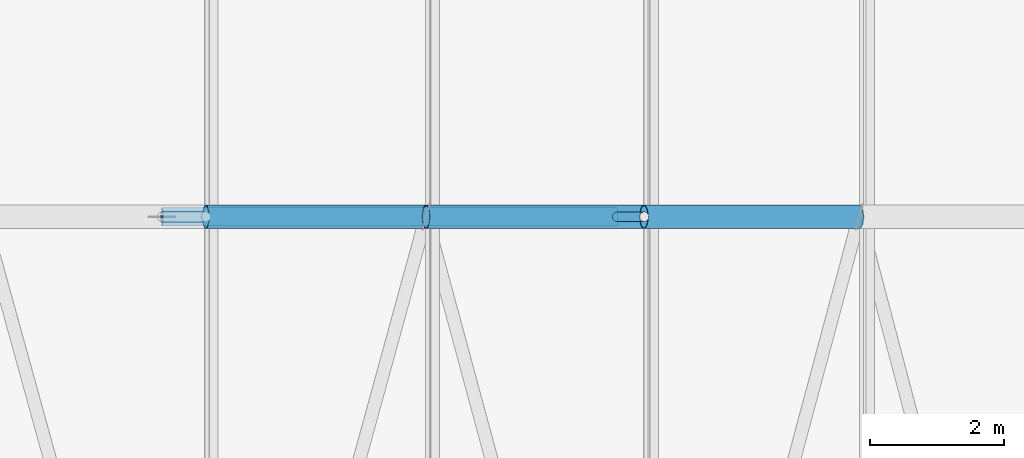
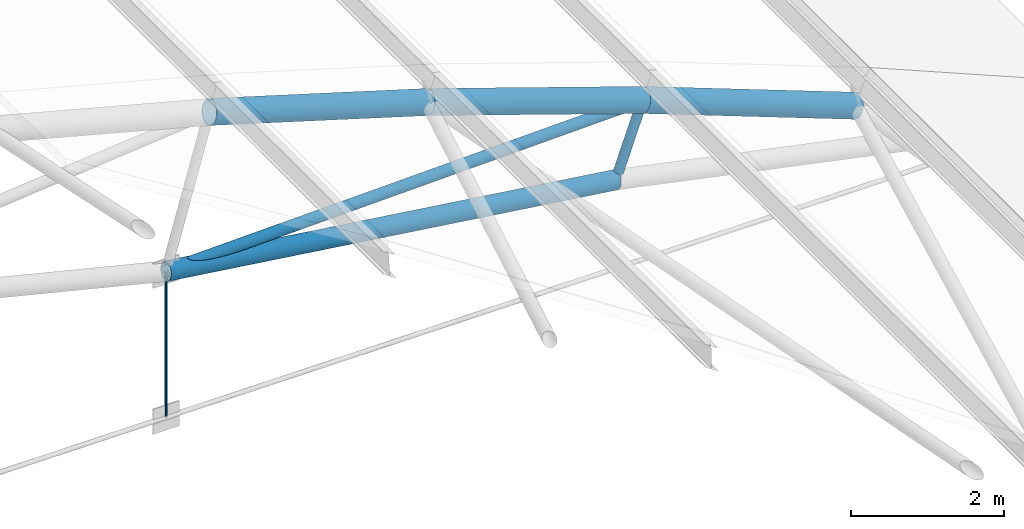
# One storey, part 45 of 321: 7 members.
"""IFC4 building model written with IfcOpenShell, lengths in metres."""

from ifc_helpers import new_model, si_unit, direction, frame, origin, origin_2d, place, context, subcontext, project, spatial, circle, hollow_circle, extrude, material, material_profile, profile_set, type_object, element, save


model = new_model("IFC4")

# Units and contexts
model_context = context("Model", 3, precision=1e-05, world=origin(), true_north=direction((0.0, 1.0)))
body_context = subcontext(model_context, "Body", "Model", "MODEL_VIEW")
ifc_project = project(units=[si_unit("LENGTHUNIT", "METRE"), si_unit("AREAUNIT", "SQUARE_METRE"), si_unit("VOLUMEUNIT", "CUBIC_METRE"), si_unit("PLANEANGLEUNIT", "RADIAN"), si_unit("MASSUNIT", "GRAM", prefix="KILO")], contexts=[model_context])

# Site, building, storey
site_placement = place(None, origin())
site = spatial("IfcSite", under=ifc_project, at=site_placement, CompositionType="ELEMENT")
building_placement = place(site_placement, origin())
building = spatial("IfcBuilding", under=site, at=building_placement, Name="Ravi Spectrum Wholesale Market", CompositionType="ELEMENT")
storey_placement = place(building_placement, frame((0.0, 0.0, 10.800048828125)))
storey = spatial("IfcBuildingStorey", under=building, at=storey_placement, Name="L02", CompositionType="ELEMENT", Elevation=10.800048828125)

# Members
ifc_material_1 = material(Name="Steel S355", Category="steel")
ifc_material_profile_1 = material_profile(ifc_material_1, hollow_circle(Radius=0.06982421875, WallThickness=0.0048828125, at=origin_2d()))
ifc_profile_set_1 = profile_set([ifc_material_profile_1], Name="Steel S355")
member_type_1 = type_object("IfcMemberType", Name="CHS 139.7x5 post", PredefinedType="POST", material=ifc_profile_set_1)
member_1_placement = place(storey_placement, frame((103.636962890625, 42.0, 2.56494140625), z_axis=(-0.338114270461, 0.0, -0.941105063269), x_axis=(0.0, -1.0, 0.0)))
element("IfcMember", 1, at=member_1_placement, inside=storey, type_object=member_type_1, Name="H1-MB-L02-146", PredefinedType="POST", context=body_context, shape_type="SweptSolid", body=[
    extrude(hollow_circle(Radius=0.06982421875, WallThickness=0.0048828125, at=origin_2d()), origin(), (0.0, 0.0, 1.0), 1.199951171875),
])
ifc_material_2 = material(Name="Steel S355", Category="steel")
ifc_material_profile_2 = material_profile(ifc_material_2, hollow_circle(Radius=0.084228515625, WallThickness=0.00634765625, at=origin_2d()))
ifc_profile_set_2 = profile_set([ifc_material_profile_2], Name="Steel S355")
member_type_2 = type_object("IfcMemberType", Name="CHS 168.3x6.3 brace", PredefinedType="BRACE", material=ifc_profile_set_2)
member_2_placement = place(storey_placement, frame((103.636962890625, 42.0, 2.56494140625), z_axis=(-0.999561599338, 0.0, -0.029607585673), x_axis=(0.0, -1.0, 0.0)))
element("IfcMember", 2, at=member_2_placement, inside=storey, type_object=member_type_2, Name="H1-MB-L02-156", PredefinedType="BRACE", context=body_context, shape_type="SweptSolid", body=[
    extrude(hollow_circle(Radius=0.084228515625, WallThickness=0.00634765625, at=origin_2d()), origin(), (0.0, 0.0, 1.0), 7.1904296875),
])
ifc_material_3 = material(Name="Steel S355", Category="steel")
ifc_material_profile_3 = material_profile(ifc_material_3, hollow_circle(Radius=0.136474609375, WallThickness=0.010009765625, at=origin_2d()))
ifc_profile_set_3 = profile_set([ifc_material_profile_3], Name="Steel S355")
member_type_3 = type_object("IfcMemberType", Name="CHS 273x10 chord", PredefinedType="CHORD", material=ifc_profile_set_3)
member_3_placement = place(storey_placement, frame((96.44970703125, 42.0, 2.35205078125), z_axis=(0.990990766788, 0.0, -0.133930206233), x_axis=(0.0, 1.0, 0.0)))
element("IfcMember", 3, at=member_3_placement, inside=storey, type_object=member_type_3, Name="H1-MB-L02-134", PredefinedType="CHORD", context=body_context, shape_type="SweptSolid", body=[
    extrude(hollow_circle(Radius=0.136474609375, WallThickness=0.010009765625, at=origin_2d()), origin(), (0.0, 0.0, 1.0), 6.84326171875),
])
ifc_material_4 = material(Name="Steel S355", Category="steel")
ifc_material_profile_4 = material_profile(ifc_material_4, hollow_circle(Radius=0.177734375, WallThickness=0.012451171875, at=origin_2d()))
ifc_profile_set_4 = profile_set([ifc_material_profile_4], Name="Steel S355")
member_type_4 = type_object("IfcMemberType", Name="CHS 355.6x12.5 chord", PredefinedType="CHORD", material=ifc_profile_set_4)
for number, where, z_axis, x_axis, name in (
    (4, (97.103759765625, 42.0, 4.661376953125), (0.957299848506, 0.0, -0.289096869666), (0.0, 1.0, 0.0), "H1-MB-L02-120"),
    (5, (100.388427734375, 42.0, 3.66943359375), (0.946773612235, 0.0, -0.321900182005), (0.0, 1.0, 0.0), "H1-MB-L02-121"),
    (6, (103.636962890625, 42.0, 2.56494140625), (0.935113010382, 0.0, -0.354349626518), (0.0, 1.0, 0.0), "H1-MB-L02-122"),
):
    element("IfcMember", number, at=place(storey_placement, frame(where, z_axis=z_axis, x_axis=x_axis)), inside=storey, type_object=member_type_4, Name=name, PredefinedType="CHORD", context=body_context, shape_type="SweptSolid", body=[
        extrude(hollow_circle(Radius=0.177734375, WallThickness=0.012451171875, at=origin_2d()), origin(), (0.0, 0.0, 1.0), 3.43115234375),
    ])
ifc_material_5 = material(Name="Steel S355", Category="steel")
ifc_material_profile_5 = material_profile(ifc_material_5, circle(Radius=0.01806640625, at=origin_2d()))
ifc_profile_set_5 = profile_set([ifc_material_profile_5], Name="Steel S355")
member_type_5 = type_object("IfcMemberType", Name="ROD 36 hanger", PredefinedType="STRUT", material=ifc_profile_set_5)
member_4_placement = place(storey_placement, frame((96.44970703125, 42.0, 0.023193359375), z_axis=(0.0, 0.0, 1.0), x_axis=(1.0, 0.0, 0.0)))
element("IfcMember", 7, at=member_4_placement, inside=storey, type_object=member_type_5, Name="H1-MB-L02-162", PredefinedType="STRUT", context=body_context, shape_type="SweptSolid", body=[
    extrude(circle(Radius=0.01806640625, at=origin_2d()), origin(), (0.0, 0.0, 1.0), 2.328857421875),
])

save(model, "model.ifc")
